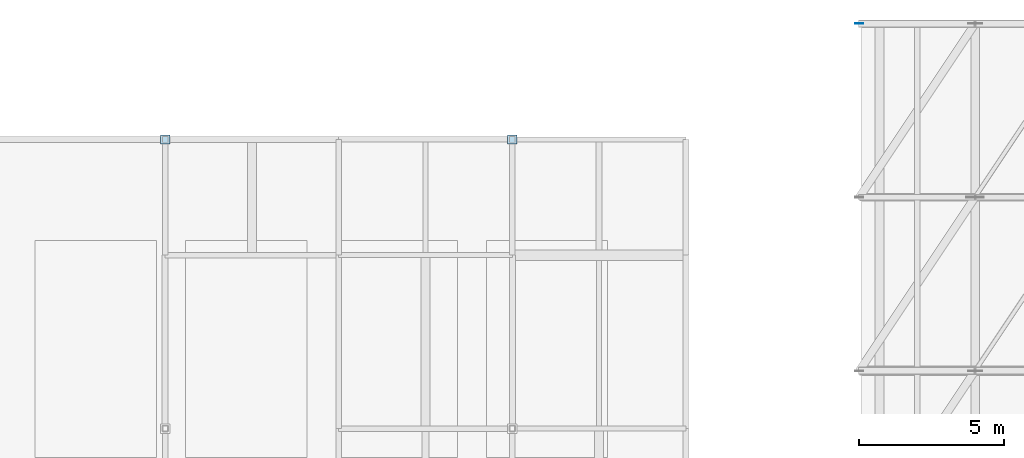
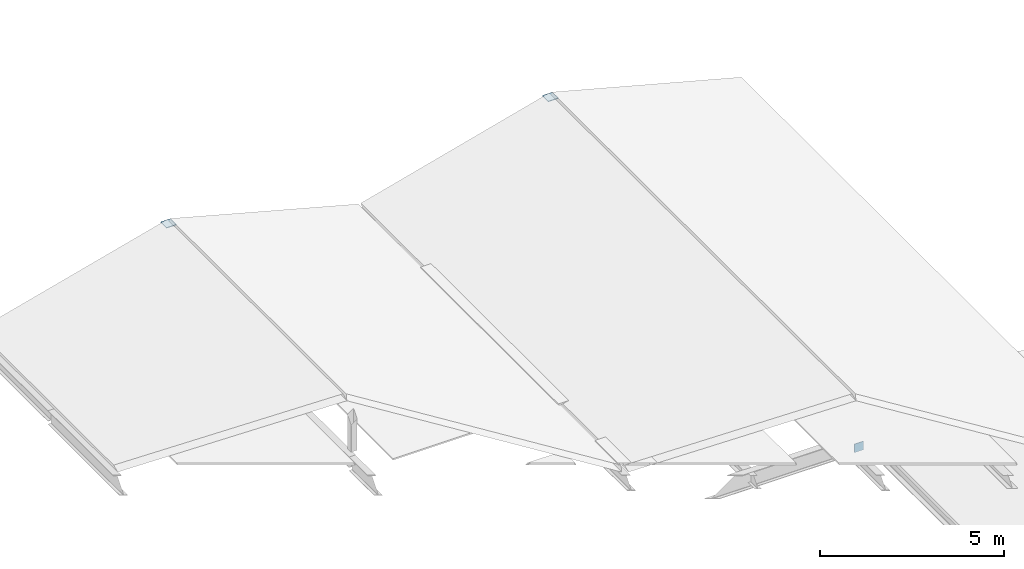
# One storey, part 16 of 27: 3 plates.
"""IFC4 building model written with IfcOpenShell, lengths in metres."""

from ifc_helpers import new_model, si_unit, direction, frame, origin, origin_2d, place, context, subcontext, project, spatial, rectangle, extrude, material, layer, layer_set, type_object, element, save


model = new_model("IFC4")

# Units and contexts
model_context = context("Model", 3, precision=1e-05, world=origin(), true_north=direction((0.0, 1.0)))
body_context = subcontext(model_context, "Body", "Model", "MODEL_VIEW")
ifc_project = project(units=[si_unit("LENGTHUNIT", "METRE"), si_unit("AREAUNIT", "SQUARE_METRE"), si_unit("VOLUMEUNIT", "CUBIC_METRE"), si_unit("PLANEANGLEUNIT", "RADIAN"), si_unit("MASSUNIT", "GRAM", prefix="KILO")], contexts=[model_context])

# Site, building, storey
site_placement = place(None, origin())
site = spatial("IfcSite", under=ifc_project, at=site_placement, CompositionType="ELEMENT")
building_placement = place(site_placement, origin())
building = spatial("IfcBuilding", under=site, at=building_placement, Name="Verrall Gate Interchange", CompositionType="ELEMENT")
storey_placement = place(building_placement, frame((0.0, 0.0, 32.800048828125)))
storey = spatial("IfcBuildingStorey", under=building, at=storey_placement, Name="RF", CompositionType="ELEMENT", Elevation=32.800048828125)

# Plates
ifc_material = material(Name="Structural Steel CSA G40.21 350WT Cat 4", Category="steel")
ifc_layer = layer(ifc_material, 0.02001953125)
ifc_layer_set = layer_set([ifc_layer], Name="Structural Steel CSA G40.21 350WT Cat 4")
plate_type = type_object("IfcPlateType", Name="GP-01 Gusset Plate 20", PredefinedType="SHEET", material=ifc_layer_set)
plate_placement = place(storey_placement, frame((36.0, 48.0, -16.9482421875), z_axis=(0.0, 0.0, 1.0), x_axis=(1.0, 0.0, 0.0)))
element("IfcPlate", 1, at=plate_placement, inside=storey, type_object=plate_type, Name="Folded-Plate Valley Gusset Node KN-V1-0-6", PredefinedType="SHEET", context=body_context, shape_type="SweptSolid", body=[
    extrude(rectangle(XDim=0.280029296875, YDim=0.02001953125, at=origin_2d()), origin(), (0.0, 0.0, 1.0), 0.280029296875),
])
for number, where, z_axis, x_axis, name in (
    (2, (12.0, 44.0, 1.429931640625), (0.0, 0.0, 1.0), (1.0, 0.0, 0.0), "RF King-Post Cap Plate 004"),
    (3, (24.0, 44.0, 1.429931640625), (0.0, 0.0, 1.0), (1.0, 0.0, 0.0), "RF King-Post Cap Plate 008"),
):
    element("IfcPlate", number, at=place(storey_placement, frame(where, z_axis=z_axis, x_axis=x_axis)), inside=storey, type_object=plate_type, Name=name, PredefinedType="SHEET", context=body_context, shape_type="SweptSolid", body=[
        extrude(rectangle(XDim=0.320068359375, YDim=0.320068359375, at=origin_2d()), origin(), (0.0, 0.0, 1.0), 0.02001953125),
    ])

save(model, "model.ifc")
